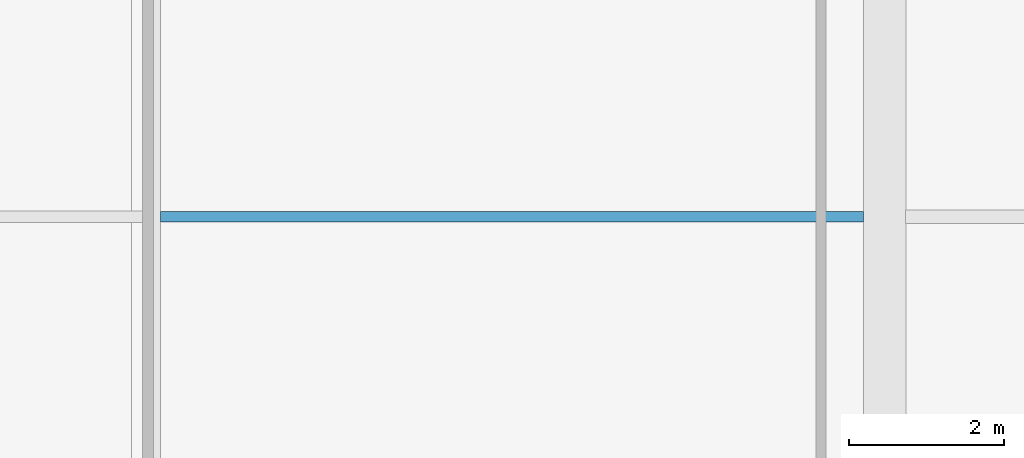
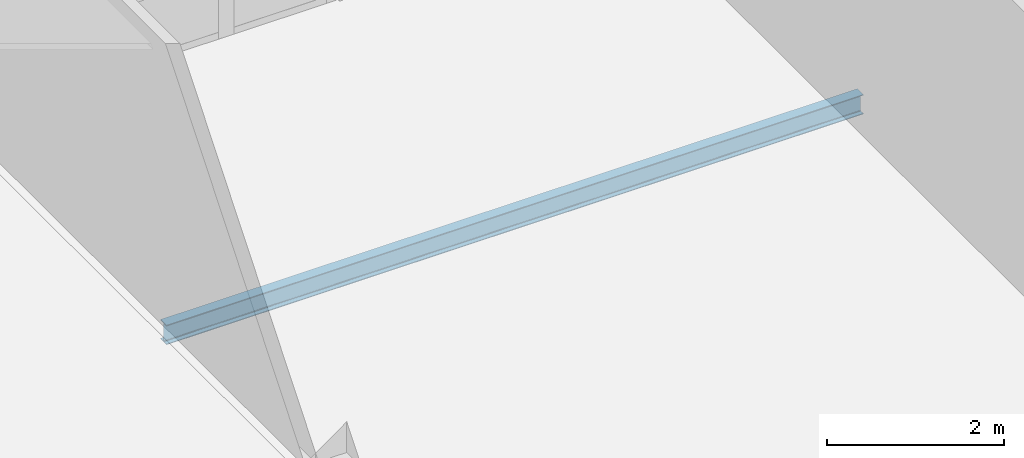
# One storey, part 23 of 158: 1 beam.
"""IFC4 building model written with IfcOpenShell, lengths in metres."""

from ifc_helpers import new_model, si_unit, direction, frame, origin, origin_2d, place, context, subcontext, project, spatial, i_section, extrude, material, material_profile, profile_set, type_object, element, save


model = new_model("IFC4")

# Units and contexts
model_context = context("Model", 3, precision=1e-05, world=origin(), true_north=direction((0.0, 1.0)))
body_context = subcontext(model_context, "Body", "Model", "MODEL_VIEW")
ifc_project = project(units=[si_unit("LENGTHUNIT", "METRE"), si_unit("AREAUNIT", "SQUARE_METRE"), si_unit("VOLUMEUNIT", "CUBIC_METRE"), si_unit("PLANEANGLEUNIT", "RADIAN"), si_unit("MASSUNIT", "GRAM", prefix="KILO")], contexts=[model_context])

# Site, building, storey
site_placement = place(None, origin())
site = spatial("IfcSite", under=ifc_project, at=site_placement, CompositionType="ELEMENT")
building_placement = place(site_placement, origin())
building = spatial("IfcBuilding", under=site, at=building_placement, Name="Qalavern Law Courts", CompositionType="ELEMENT")
storey_placement = place(building_placement, frame((0.0, 0.0, 18.60009765625)))
storey = spatial("IfcBuildingStorey", under=building, at=storey_placement, Name="L04", CompositionType="ELEMENT", Elevation=18.60009765625)

# Beam
ifc_material = material(Name="Steel S355", Category="steel")
ifc_material_profile = material_profile(ifc_material, i_section(OverallWidth=0.135009765625, OverallDepth=0.27001953125, WebThickness=0.006591796875, FlangeThickness=0.01025390625, FilletRadius=0.014892578125, at=origin_2d()), Name="IPE 270")
ifc_profile_set = profile_set([ifc_material_profile], Name="Steel S355")
beam_type = type_object("IfcBeamType", Name="STR-JST-IPE270", PredefinedType="JOIST", material=ifc_profile_set)
beam_placement = place(storey_placement, frame((44.162353515625, 26.0, -0.4150390625), z_axis=(1.0, 0.0, 0.0), x_axis=(0.0, 1.0, 0.0)))
element("IfcBeam", 1, at=beam_placement, inside=storey, type_object=beam_type, Name="V2 secondary joist 2.3.1 L04", PredefinedType="JOIST", context=body_context, shape_type="SweptSolid", body=[
    extrude(i_section(OverallWidth=0.135009765625, OverallDepth=0.27001953125, WebThickness=0.006591796875, FlangeThickness=0.01025390625, FilletRadius=0.014892578125, at=origin_2d()), origin(), (0.0, 0.0, 1.0), 9.09326171875),
])

save(model, "model.ifc")
